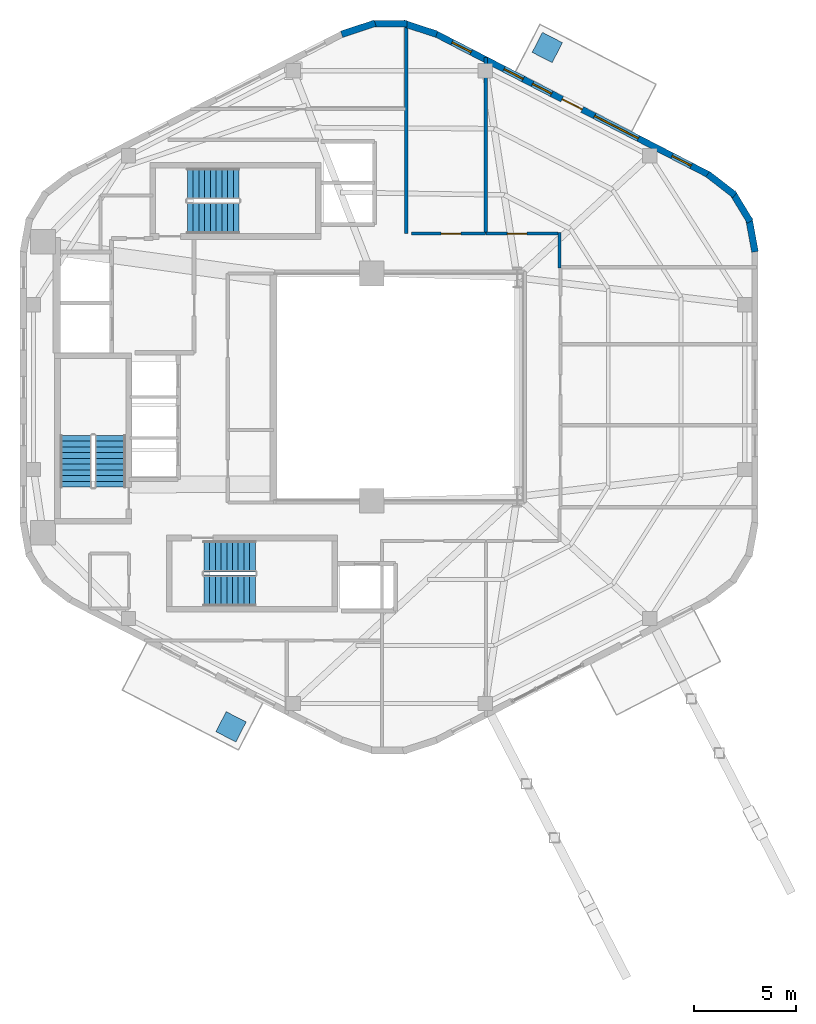
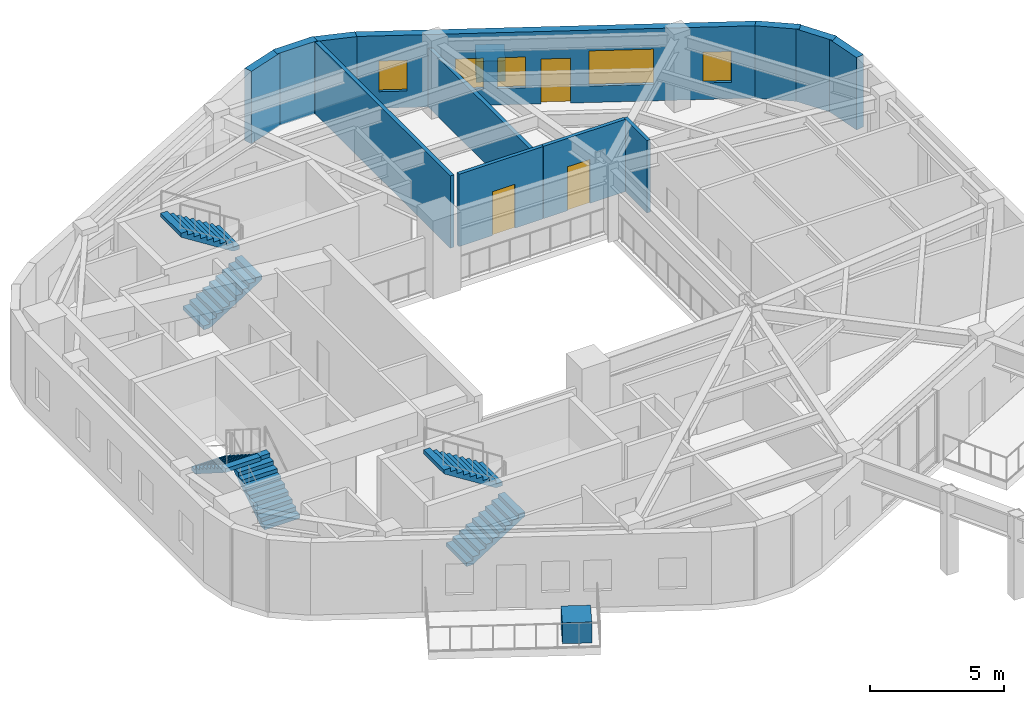
# One storey, part 8 of 10: 12 walls, 6 stair flights, 5 windows, 3 doors, 2 discrete accessories, 8 openings, 3 elements without a shape of their own.
"""IFC4 building model written with IfcOpenShell, lengths in metres."""

from ifc_helpers import new_model, si_unit, direction, frame, frame_2d, origin, origin_2d, place, context, subcontext, project, spatial, polyline, rectangle, outline, extrude, material, layer, layer_set, type_object, element, fill, aggregate, save


model = new_model("IFC4")

# Units and contexts
model_context = context("Model", 3, precision=1e-05, world=origin(), true_north=direction((0.0, 1.0)))
body_context = subcontext(model_context, "Body", "Model", "MODEL_VIEW")
ifc_project = project(units=[si_unit("LENGTHUNIT", "METRE"), si_unit("AREAUNIT", "SQUARE_METRE"), si_unit("VOLUMEUNIT", "CUBIC_METRE"), si_unit("PLANEANGLEUNIT", "RADIAN"), si_unit("MASSUNIT", "GRAM", prefix="KILO"), si_unit("THERMODYNAMICTEMPERATUREUNIT", "KELVIN"), si_unit("POWERUNIT", "WATT")], contexts=[model_context])

# Site, building, storey
site_placement = place(None, origin())
site = spatial("IfcSite", under=ifc_project, at=site_placement, CompositionType="ELEMENT")
building_placement = place(site_placement, origin())
building = spatial("IfcBuilding", under=site, at=building_placement, Name="Skarre Station Tower", CompositionType="ELEMENT")
storey_placement = place(building_placement, frame((0.0, 0.0, 227.699951171875)))
storey = spatial("IfcBuildingStorey", under=building, at=storey_placement, Name="L62", CompositionType="ELEMENT", Elevation=227.699951171875)

# Wall
ifc_material_1 = material(Name="Acoustic Steel-Stud Gypsum Partition", Category="steel")
ifc_layer_1 = layer(ifc_material_1, 0.14990234375, Name="Acoustic Steel-Stud Gypsum Partition")
ifc_layer_set_1 = layer_set([ifc_layer_1], Name="Acoustic Steel-Stud Gypsum Partition")
wall_type_1 = type_object("IfcWallType", Name="Fire-Rated Corridor Acoustic Partition 150", PredefinedType="PARTITIONING", material=ifc_layer_set_1)
wall_1_placement = place(storey_placement, frame((41.52001953125, 29.820068359375, 0.0), z_axis=(0.0, 0.0, 1.0), x_axis=(0.0, 1.0, 0.0)))
element("IfcWall", 1, at=wall_1_placement, inside=storey, type_object=wall_type_1, Name="L62 Interior Partition WL-PT-L62-CORR-NER", PredefinedType="PARTITIONING", context=body_context, shape_type="SweptSolid", body=[
    extrude(rectangle(XDim=1.719970703125, YDim=0.14990234375, at=frame_2d((0.85986328125, 0.0))), origin(), (0.0, 0.0, 1.0), 3.2900390625),
])

# Wall, opening, door
wall_2_placement = place(storey_placement, frame((37.912109375, 31.5, 0.0), z_axis=(0.0, 0.0, 1.0), x_axis=(-1.0, 0.0, 0.0)))
wall_2 = element("IfcWall", 2, at=wall_2_placement, inside=storey, type_object=wall_type_1, Name="L62 Interior Partition WL-PT-L62-NW1-CW", PredefinedType="PARTITIONING", context=body_context, shape_type="SweptSolid", body=[
    extrude(rectangle(XDim=3.6220703125, YDim=0.14990234375, at=frame_2d((1.81103515625, 0.0))), origin(), (0.0, 0.0, 1.0), 3.2900390625),
])
opening_1_placement = place(wall_2_placement, frame((1.2119140625, 0.0, 0.0)))
opening_1 = element("IfcOpeningElement", 3, at=opening_1_placement, cuts=wall_2, Name="Opening DR-FD60", PredefinedType="OPENING", context=body_context, shape_type="SweptSolid", body=[
    extrude(rectangle(XDim=0.9599609375, YDim=2.0, at=frame_2d((0.47998046875, 1.0))), frame((0.0, 0.0849609375, 0.0), z_axis=(0.0, -1.0, 0.0), x_axis=(1.0, 0.0, 0.0)), (0.0, 0.0, 1.0), 0.169921875),
])
ifc_material_2 = material(Name="Nordic White-Oak Veneer Solid-Core Fire Leaf", Category="wood")
door_type_1 = type_object("IfcDoorType", Name="Corridor Suite Entry Fire Door FD60 960x2150", OperationType="SINGLE_SWING_LEFT", PredefinedType="DOOR", material=ifc_material_2)
door_1_placement = place(opening_1_placement, origin())
door_1 = element("IfcDoor", 4, at=door_1_placement, inside=storey, type_object=door_type_1, Name="L62 NW1 Entry Door", OperationType="SINGLE_SWING_LEFT", OverallHeight=2.0, OverallWidth=0.9599609375, PredefinedType="DOOR", context=body_context, shape_type="SweptSolid", body=[
    extrude(rectangle(XDim=0.9599609375, YDim=2.0, at=frame_2d((0.47998046875, 1.0))), frame((0.0, 0.02490234375, 0.0), z_axis=(0.0, -1.0, 0.0), x_axis=(1.0, 0.0, 0.0)), (0.0, 0.0, 1.0), 0.050048828125),
])
fill(opening_1, door_1)

wall_3_placement = place(storey_placement, frame((41.449951171875, 31.5, 0.0), z_axis=(0.0, 0.0, 1.0), x_axis=(-1.0, 0.0, 0.0)))
wall_3 = element("IfcWall", 5, at=wall_3_placement, inside=storey, type_object=wall_type_1, Name="L62 Interior Partition WL-PT-L62-NW2-CW", PredefinedType="PARTITIONING", context=body_context, shape_type="SweptSolid", body=[
    extrude(rectangle(XDim=3.52783203125, YDim=0.14990234375, at=frame_2d((1.763916015625, 0.0))), origin(), (0.0, 0.0, 1.0), 3.2900390625),
])
opening_2_placement = place(wall_3_placement, frame((1.52392578125, 0.0, 0.0)))
opening_2 = element("IfcOpeningElement", 6, at=opening_2_placement, cuts=wall_3, Name="Opening DR-FD60", PredefinedType="OPENING", context=body_context, shape_type="SweptSolid", body=[
    extrude(rectangle(XDim=0.9599609375, YDim=2.0, at=frame_2d((0.47998046875, 1.0))), frame((0.0, 0.0849609375, 0.0), z_axis=(0.0, -1.0, 0.0), x_axis=(1.0, 0.0, 0.0)), (0.0, 0.0, 1.0), 0.169921875),
])
door_2_placement = place(opening_2_placement, origin())
door_2 = element("IfcDoor", 7, at=door_2_placement, inside=storey, type_object=door_type_1, Name="L62 NW2 Entry Door", OperationType="SINGLE_SWING_LEFT", OverallHeight=2.0, OverallWidth=0.9599609375, PredefinedType="DOOR", context=body_context, shape_type="SweptSolid", body=[
    extrude(rectangle(XDim=0.9599609375, YDim=2.0, at=frame_2d((0.47998046875, 1.0))), frame((0.0, 0.02490234375, 0.0), z_axis=(0.0, -1.0, 0.0), x_axis=(1.0, 0.0, 0.0)), (0.0, 0.0, 1.0), 0.050048828125),
])
fill(opening_2, door_2)

# Walls
ifc_material_3 = material(Name="Precast concrete C45/55", Category="concrete")
ifc_layer_2 = layer(ifc_material_3, 0.330078125, Name="Precast concrete C45/55")
ifc_layer_set_2 = layer_set([ifc_layer_2], Name="Precast concrete C45/55")
wall_type_2 = type_object("IfcWallType", Name="Nordic Rounded Corner Precast Wall 330", PredefinedType="STANDARD", material=ifc_layer_set_2)
wall_4_placement = place(storey_placement, frame((48.7529296875, 34.40087890625, 0.0), z_axis=(0.0, 0.0, 1.0), x_axis=(0.790691856293, -0.61221433207, 0.0)))
element("IfcWall", 8, at=wall_4_placement, inside=storey, type_object=wall_type_2, Name="L62 Rounded Corner Precast Wall F0-1", PredefinedType="STANDARD", context=body_context, shape_type="SweptSolid", body=[
    extrude(rectangle(XDim=1.67578125, YDim=0.330078125, at=frame_2d((0.837890625, 0.0))), origin(), (0.0, 0.0, 1.0), 3.2900390625),
])
wall_5_placement = place(storey_placement, frame((49.952880859375, 33.514892578125, 0.0), z_axis=(0.0, 0.0, 1.0), x_axis=(0.520325409202, -0.853968072318, 0.0)))
element("IfcWall", 9, at=wall_5_placement, inside=storey, type_object=wall_type_2, Name="L62 Rounded Corner Precast Wall F0-2", PredefinedType="STANDARD", context=body_context, shape_type="SweptSolid", body=[
    extrude(rectangle(XDim=1.677978515625, YDim=0.330078125, at=frame_2d((0.8388671875, 0.0))), origin(), (0.0, 0.0, 1.0), 3.2900390625),
])
wall_6_placement = place(storey_placement, frame((50.759033203125, 32.257080078125, 0.0), z_axis=(0.0, 0.0, 1.0), x_axis=(0.180691763044, -0.983539773862, 0.0)))
element("IfcWall", 10, at=wall_6_placement, inside=storey, type_object=wall_type_2, Name="L62 Rounded Corner Precast Wall F0-3", PredefinedType="STANDARD", context=body_context, shape_type="SweptSolid", body=[
    extrude(rectangle(XDim=1.6767578125, YDim=0.330078125, at=frame_2d((0.83837890625, 0.0))), origin(), (0.0, 0.0, 1.0), 3.2900390625),
])
wall_7_placement = place(storey_placement, frame((30.882080078125, 41.23095703125, 0.0), z_axis=(0.0, 0.0, 1.0), x_axis=(0.949713440491, 0.313120393699, 0.0)))
element("IfcWall", 11, at=wall_7_placement, inside=storey, type_object=wall_type_2, Name="L62 Rounded Corner Precast Wall F1-1", PredefinedType="STANDARD", context=body_context, shape_type="SweptSolid", body=[
    extrude(rectangle(XDim=1.7216796875, YDim=0.330078125, at=frame_2d((0.86083984375, 0.0))), origin(), (0.0, 0.0, 1.0), 3.2900390625),
])
wall_8_placement = place(storey_placement, frame((32.339111328125, 41.740966796875, 0.0), z_axis=(0.0, 0.0, 1.0), x_axis=(1.0, 0.0, 0.0)))
element("IfcWall", 12, at=wall_8_placement, inside=storey, type_object=wall_type_2, Name="L62 Rounded Corner Precast Wall F1-2", PredefinedType="STANDARD", context=body_context, shape_type="SweptSolid", body=[
    extrude(rectangle(XDim=1.721923828125, YDim=0.330078125, at=frame_2d((0.86083984375, 0.0))), origin(), (0.0, 0.0, 1.0), 3.2900390625),
])
wall_9_placement = place(storey_placement, frame((33.883056640625, 41.77001953125, 0.0), z_axis=(0.0, 0.0, 1.0), x_axis=(0.949713440491, -0.313120393699, 0.0)))
element("IfcWall", 13, at=wall_9_placement, inside=storey, type_object=wall_type_2, Name="L62 Rounded Corner Precast Wall F1-3", PredefinedType="STANDARD", context=body_context, shape_type="SweptSolid", body=[
    extrude(rectangle(XDim=1.7216796875, YDim=0.330078125, at=frame_2d((0.86083984375, 0.0))), origin(), (0.0, 0.0, 1.0), 3.2900390625),
])

# Wall, openings, windows, door
ifc_layer_3 = layer(ifc_material_3, 0.31005859375, Name="Precast concrete C45/55")
ifc_layer_set_3 = layer_set([ifc_layer_3], Name="Precast concrete C45/55")
wall_type_3 = type_object("IfcWallType", Name="Nordic Upper-Zone Precast Facet Wall 310", PredefinedType="STANDARD", material=ifc_layer_set_3)
wall_10_placement = place(storey_placement, frame((35.43701171875, 41.27001953125, 0.0), z_axis=(0.0, 0.0, 1.0), x_axis=(0.888581481622, -0.458718814218, 0.0)))
wall_10 = element("IfcWall", 14, at=wall_10_placement, inside=storey, type_object=wall_type_3, Name="L62 Facet 0 Nordic Precast Masonry Wall", PredefinedType="STANDARD", context=body_context, shape_type="SweptSolid", body=[
    extrude(rectangle(XDim=15.076904296875, YDim=0.31005859375, at=frame_2d((7.53857421875, 0.0))), origin(), (0.0, 0.0, 1.0), 3.2900390625),
])
opening_3_placement = place(wall_10_placement, frame((6.988037109375, 0.0, 0.0)))
opening_3 = element("IfcOpeningElement", 15, at=opening_3_placement, cuts=wall_10, Name="Opening DR-BAL110", PredefinedType="OPENING", context=body_context, shape_type="SweptSolid", body=[
    extrude(rectangle(XDim=1.10009765625, YDim=2.0400390625, at=frame_2d((0.550048828125, 1.02001953125))), frame((0.0, 0.1650390625, 0.0), z_axis=(0.0, -1.0, 0.0), x_axis=(1.0, 0.0, 0.0)), (0.0, 0.0, 1.0), 0.330078125),
])
opening_4_placement = place(wall_10_placement, frame((0.94189453125, 0.0, 0.75)))
opening_4 = element("IfcOpeningElement", 16, at=opening_4_placement, cuts=wall_10, Name="Opening WN-SLT", PredefinedType="OPENING", context=body_context, shape_type="SweptSolid", body=[
    extrude(rectangle(XDim=1.050048828125, YDim=1.39990234375, at=frame_2d((0.52490234375, 0.699951171875))), frame((0.0, 0.1650390625, 0.0), z_axis=(0.0, -1.0, 0.0), x_axis=(1.0, 0.0, 0.0)), (0.0, 0.0, 1.0), 0.330078125),
])
opening_5_placement = place(wall_10_placement, frame((3.79296875, 0.0, 0.75)))
opening_5 = element("IfcOpeningElement", 17, at=opening_5_placement, cuts=wall_10, Name="Opening WN-SLT", PredefinedType="OPENING", context=body_context, shape_type="SweptSolid", body=[
    extrude(rectangle(XDim=1.050048828125, YDim=1.39990234375, at=frame_2d((0.52490234375, 0.699951171875))), frame((0.0, 0.1650390625, 0.0), z_axis=(0.0, -1.0, 0.0), x_axis=(1.0, 0.0, 0.0)), (0.0, 0.0, 1.0), 0.330078125),
])
opening_6_placement = place(wall_10_placement, frame((5.360107421875, 0.0, 0.75)))
opening_6 = element("IfcOpeningElement", 18, at=opening_6_placement, cuts=wall_10, Name="Opening WN-SLT", PredefinedType="OPENING", context=body_context, shape_type="SweptSolid", body=[
    extrude(rectangle(XDim=1.050048828125, YDim=1.39990234375, at=frame_2d((0.52490234375, 0.699951171875))), frame((0.0, 0.1650390625, 0.0), z_axis=(0.0, -1.0, 0.0), x_axis=(1.0, 0.0, 0.0)), (0.0, 0.0, 1.0), 0.330078125),
])
opening_7_placement = place(wall_10_placement, frame((8.77392578125, 0.0, 0.75)))
opening_7 = element("IfcOpeningElement", 19, at=opening_7_placement, cuts=wall_10, Name="Opening WN-Z4A", PredefinedType="OPENING", context=body_context, shape_type="SweptSolid", body=[
    extrude(rectangle(XDim=2.39990234375, YDim=1.60009765625, at=frame_2d((1.199951171875, 0.800048828125))), frame((0.0, 0.1650390625, 0.0), z_axis=(0.0, -1.0, 0.0), x_axis=(1.0, 0.0, 0.0)), (0.0, 0.0, 1.0), 0.330078125),
])
opening_8_placement = place(wall_10_placement, frame((13.029052734375, 0.0, 0.75)))
opening_8 = element("IfcOpeningElement", 20, at=opening_8_placement, cuts=wall_10, Name="Opening WN-SLT", PredefinedType="OPENING", context=body_context, shape_type="SweptSolid", body=[
    extrude(rectangle(XDim=1.050048828125, YDim=1.39990234375, at=frame_2d((0.52490234375, 0.699951171875))), frame((0.0, 0.1650390625, 0.0), z_axis=(0.0, -1.0, 0.0), x_axis=(1.0, 0.0, 0.0)), (0.0, 0.0, 1.0), 0.330078125),
])
ifc_material_4 = material(Name="Low-Iron Triple Glazing with Bronze Anodized Frame", Category="glass")
window_type_1 = type_object("IfcWindowType", Name="Nordic Corner Slot Window 1050x1400", PartitioningType="SINGLE_PANEL", PredefinedType="WINDOW", material=ifc_material_4)
window_1_placement = place(opening_4_placement, origin())
window_1 = element("IfcWindow", 21, at=window_1_placement, inside=storey, type_object=window_type_1, Name="L62 Facade Window WL-FAC-L62-F0-1", OverallHeight=1.39990234375, OverallWidth=1.050048828125, PartitioningType="SINGLE_PANEL", PredefinedType="WINDOW", context=body_context, shape_type="SweptSolid", body=[
    extrude(rectangle(XDim=1.050048828125, YDim=1.39990234375, at=frame_2d((0.52490234375, 0.699951171875))), frame((0.0, 0.030029296875, 0.0), z_axis=(0.0, -1.0, 0.0), x_axis=(1.0, 0.0, 0.0)), (0.0, 0.0, 1.0), 0.06005859375),
])
fill(opening_4, window_1)
window_2_placement = place(opening_5_placement, origin())
window_2 = element("IfcWindow", 22, at=window_2_placement, inside=storey, type_object=window_type_1, Name="L62 Facade Window WL-FAC-L62-F0-2", OverallHeight=1.39990234375, OverallWidth=1.050048828125, PartitioningType="SINGLE_PANEL", PredefinedType="WINDOW", context=body_context, shape_type="SweptSolid", body=[
    extrude(rectangle(XDim=1.050048828125, YDim=1.39990234375, at=frame_2d((0.52490234375, 0.699951171875))), frame((0.0, 0.030029296875, 0.0), z_axis=(0.0, -1.0, 0.0), x_axis=(1.0, 0.0, 0.0)), (0.0, 0.0, 1.0), 0.06005859375),
])
fill(opening_5, window_2)
window_3_placement = place(opening_6_placement, origin())
window_3 = element("IfcWindow", 23, at=window_3_placement, inside=storey, type_object=window_type_1, Name="L62 Facade Window WL-FAC-L62-F0-3", OverallHeight=1.39990234375, OverallWidth=1.050048828125, PartitioningType="SINGLE_PANEL", PredefinedType="WINDOW", context=body_context, shape_type="SweptSolid", body=[
    extrude(rectangle(XDim=1.050048828125, YDim=1.39990234375, at=frame_2d((0.52490234375, 0.699951171875))), frame((0.0, 0.030029296875, 0.0), z_axis=(0.0, -1.0, 0.0), x_axis=(1.0, 0.0, 0.0)), (0.0, 0.0, 1.0), 0.06005859375),
])
fill(opening_6, window_3)
window_4_placement = place(opening_8_placement, origin())
window_4 = element("IfcWindow", 24, at=window_4_placement, inside=storey, type_object=window_type_1, Name="L62 Facade Window WL-FAC-L62-F0-5", OverallHeight=1.39990234375, OverallWidth=1.050048828125, PartitioningType="SINGLE_PANEL", PredefinedType="WINDOW", context=body_context, shape_type="SweptSolid", body=[
    extrude(rectangle(XDim=1.050048828125, YDim=1.39990234375, at=frame_2d((0.52490234375, 0.699951171875))), frame((0.0, 0.030029296875, 0.0), z_axis=(0.0, -1.0, 0.0), x_axis=(1.0, 0.0, 0.0)), (0.0, 0.0, 1.0), 0.06005859375),
])
fill(opening_8, window_4)
window_type_2 = type_object("IfcWindowType", Name="Nordic Crown Panorama Window 2400x1600", PartitioningType="SINGLE_PANEL", PredefinedType="WINDOW", material=ifc_material_4)
window_5_placement = place(opening_7_placement, origin())
window_5 = element("IfcWindow", 25, at=window_5_placement, inside=storey, type_object=window_type_2, Name="L62 Facade Window WL-FAC-L62-F0-4", OverallHeight=1.60009765625, OverallWidth=2.39990234375, PartitioningType="SINGLE_PANEL", PredefinedType="WINDOW", context=body_context, shape_type="SweptSolid", body=[
    extrude(rectangle(XDim=2.39990234375, YDim=1.60009765625, at=frame_2d((1.199951171875, 0.800048828125))), frame((0.0, 0.030029296875, 0.0), z_axis=(0.0, -1.0, 0.0), x_axis=(1.0, 0.0, 0.0)), (0.0, 0.0, 1.0), 0.06005859375),
])
fill(opening_7, window_5)
ifc_material_5 = material(Name="Thermally Broken Aluminium & Triple Glazing", Category="aluminium")
door_type_2 = type_object("IfcDoorType", Name="Terrace & Tree-Balcony Glazed Door 1100x2200", OperationType="SINGLE_SWING_LEFT", PredefinedType="DOOR", material=ifc_material_5)
door_3_placement = place(opening_3_placement, origin())
door_3 = element("IfcDoor", 26, at=door_3_placement, inside=storey, type_object=door_type_2, Name="L62 TB-L62-F0 Tree-Balcony Glazed Door", OperationType="SINGLE_SWING_LEFT", OverallHeight=2.0400390625, OverallWidth=1.10009765625, PredefinedType="DOOR", context=body_context, shape_type="SweptSolid", body=[
    extrude(rectangle(XDim=1.10009765625, YDim=2.0400390625, at=frame_2d((0.550048828125, 1.02001953125))), frame((0.0, 0.02490234375, 0.0), z_axis=(0.0, -1.0, 0.0), x_axis=(1.0, 0.0, 0.0)), (0.0, 0.0, 1.0), 0.050048828125),
])
fill(opening_3, door_3)

# Walls
ifc_layer_4 = layer(ifc_material_1, 0.1650390625, Name="Acoustic Steel-Stud Gypsum Partition")
ifc_layer_set_4 = layer_set([ifc_layer_4], Name="Acoustic Steel-Stud Gypsum Partition")
wall_type_4 = type_object("IfcWallType", Name="Suite Demising Acoustic Partition 165", PredefinedType="PARTITIONING", material=ifc_layer_set_4)
wall_11_placement = place(storey_placement, frame((34.0400390625, 31.5, 0.0), z_axis=(0.0, 0.0, 1.0), x_axis=(0.0, 1.0, 0.0)))
element("IfcWall", 27, at=wall_11_placement, inside=storey, type_object=wall_type_4, Name="L62 Interior Partition WL-PT-L62-NW-WBND", PredefinedType="PARTITIONING", context=body_context, shape_type="SweptSolid", body=[
    extrude(rectangle(XDim=10.318115234375, YDim=0.1650390625, at=frame_2d((5.1591796875, 0.0))), origin(), (0.0, 0.0, 1.0), 3.2900390625),
])
wall_12_placement = place(storey_placement, frame((37.9169921875, 31.510009765625, 0.0), z_axis=(0.0, 0.0, 1.0), x_axis=(0.0, 1.0, 0.0)))
element("IfcWall", 28, at=wall_12_placement, inside=storey, type_object=wall_type_4, Name="L62 Interior Partition WL-PT-L62-NW-P1", PredefinedType="PARTITIONING", context=body_context, shape_type="SweptSolid", body=[
    extrude(rectangle(XDim=8.575927734375, YDim=0.1650390625, at=frame_2d((4.2880859375, 0.0))), origin(), (0.0, 0.0, 1.0), 2.678955078125),
])

# Stair, stair flights
ifc_material_6 = material(Name="Concrete C40/50", Category="concrete")
stair_type_1 = type_object("IfcStairType", Name="Reinforced Concrete Exit Stair ST-1", PredefinedType="HALF_TURN_STAIR", material=ifc_material_6)
stair_1_placement = place(storey_placement, origin())
stair_1 = element("IfcStair", 29, at=stair_1_placement, inside=storey, type_object=stair_type_1, Name="L62 Core Exit Stair ST-1", PredefinedType="HALF_TURN_STAIR")
stair_flight_type_1 = type_object("IfcStairFlightType", Name="Reinforced Concrete Stair Flight ST-1", PredefinedType="STRAIGHT", material=ifc_material_6)
stair_flight_1_placement = place(storey_placement, frame((19.590087890625, 19.1201171875, 0.0), z_axis=(0.0, 0.0, 1.0), x_axis=(0.0, 1.0, 0.0)))
stair_flight_1 = element("IfcStairFlight", 30, at=stair_flight_1_placement, type_object=stair_flight_type_1, Name="ST-1 flight 1", NumberOfRisers=10, NumberOfTreads=9, PredefinedType="STRAIGHT", RiserHeight=0.1775, TreadLength=0.28, context=body_context, shape_type="SweptSolid", body=[
    extrude(outline(polyline([(0.0, 0.0), (0.0, 0.177490234375), (0.280029296875, 0.177490234375), (0.280029296875, 0.35498046875), (0.56005859375, 0.35498046875), (0.56005859375, 0.532470703125), (0.840087890625, 0.532470703125), (0.840087890625, 0.7099609375), (1.1201171875, 0.7099609375), (1.1201171875, 0.887451171875), (1.39990234375, 0.887451171875), (1.39990234375, 1.06494140625), (1.679931640625, 1.06494140625), (1.679931640625, 1.242431640625), (1.9599609375, 1.242431640625), (1.9599609375, 1.419921875), (2.239990234375, 1.419921875), (2.239990234375, 1.597412109375), (2.52001953125, 1.597412109375), (2.52001953125, 1.77490234375), (2.52001953125, 1.419921875), (0.280029296875, 0.0), (0.0, 0.0)])), frame((0.0, 0.760009765625, 0.0), z_axis=(0.0, -1.0, 0.0), x_axis=(1.0, 0.0, 0.0)), (0.0, 0.0, 1.0), 1.52001953125),
])
stair_flight_2_placement = place(storey_placement, frame((17.909912109375, 21.639892578125, 1.775146484375), z_axis=(0.0, 0.0, 1.0), x_axis=(0.0, -1.0, 0.0)))
stair_flight_2 = element("IfcStairFlight", 31, at=stair_flight_2_placement, type_object=stair_flight_type_1, Name="ST-1 flight 2", NumberOfRisers=10, NumberOfTreads=9, PredefinedType="STRAIGHT", RiserHeight=0.1775, TreadLength=0.28, context=body_context, shape_type="SweptSolid", body=[
    extrude(outline(polyline([(0.0, 0.0), (0.0, 0.177490234375), (0.280029296875, 0.177490234375), (0.280029296875, 0.35498046875), (0.56005859375, 0.35498046875), (0.56005859375, 0.532470703125), (0.840087890625, 0.532470703125), (0.840087890625, 0.7099609375), (1.1201171875, 0.7099609375), (1.1201171875, 0.887451171875), (1.39990234375, 0.887451171875), (1.39990234375, 1.06494140625), (1.679931640625, 1.06494140625), (1.679931640625, 1.242431640625), (1.9599609375, 1.242431640625), (1.9599609375, 1.419921875), (2.239990234375, 1.419921875), (2.239990234375, 1.597412109375), (2.52001953125, 1.597412109375), (2.52001953125, 1.77490234375), (2.52001953125, 1.419921875), (0.280029296875, 0.0), (0.0, 0.0)])), frame((0.0, 0.760009765625, 0.0), z_axis=(0.0, -1.0, 0.0), x_axis=(1.0, 0.0, 0.0)), (0.0, 0.0, 1.0), 1.52001953125),
])
aggregate(stair_1, [stair_flight_1, stair_flight_2])

stair_type_2 = type_object("IfcStairType", Name="Reinforced Concrete Exit Stair ST-2", PredefinedType="HALF_TURN_STAIR", material=ifc_material_6)
stair_2_placement = place(storey_placement, origin())
stair_2 = element("IfcStair", 32, at=stair_2_placement, inside=storey, type_object=stair_type_2, Name="L62 Core Exit Stair ST-2", PredefinedType="HALF_TURN_STAIR")
stair_flight_type_2 = type_object("IfcStairFlightType", Name="Reinforced Concrete Stair Flight ST-2", PredefinedType="STRAIGHT", material=ifc_material_6)
stair_flight_3_placement = place(storey_placement, frame((24.14990234375, 14.06005859375, 0.0), z_axis=(0.0, 0.0, 1.0), x_axis=(1.0, 0.0, 0.0)))
stair_flight_3 = element("IfcStairFlight", 33, at=stair_flight_3_placement, type_object=stair_flight_type_2, Name="ST-2 flight 1", NumberOfRisers=10, NumberOfTreads=9, PredefinedType="STRAIGHT", RiserHeight=0.1775, TreadLength=0.28, context=body_context, shape_type="SweptSolid", body=[
    extrude(outline(polyline([(0.0, 0.0), (0.0, 0.177490234375), (0.280029296875, 0.177490234375), (0.280029296875, 0.35498046875), (0.56005859375, 0.35498046875), (0.56005859375, 0.532470703125), (0.840087890625, 0.532470703125), (0.840087890625, 0.7099609375), (1.1201171875, 0.7099609375), (1.1201171875, 0.887451171875), (1.39990234375, 0.887451171875), (1.39990234375, 1.06494140625), (1.679931640625, 1.06494140625), (1.679931640625, 1.242431640625), (1.9599609375, 1.242431640625), (1.9599609375, 1.419921875), (2.239990234375, 1.419921875), (2.239990234375, 1.597412109375), (2.52001953125, 1.597412109375), (2.52001953125, 1.77490234375), (2.52001953125, 1.419921875), (0.280029296875, 0.0), (0.0, 0.0)])), frame((0.0, 0.760009765625, 0.0), z_axis=(0.0, -1.0, 0.0), x_axis=(1.0, 0.0, 0.0)), (0.0, 0.0, 1.0), 1.52001953125),
])
stair_flight_4_placement = place(storey_placement, frame((26.669921875, 15.739990234375, 1.775146484375), z_axis=(0.0, 0.0, 1.0), x_axis=(-1.0, 0.0, 0.0)))
stair_flight_4 = element("IfcStairFlight", 34, at=stair_flight_4_placement, type_object=stair_flight_type_2, Name="ST-2 flight 2", NumberOfRisers=10, NumberOfTreads=9, PredefinedType="STRAIGHT", RiserHeight=0.1775, TreadLength=0.28, context=body_context, shape_type="SweptSolid", body=[
    extrude(outline(polyline([(0.0, 0.0), (0.0, 0.177490234375), (0.280029296875, 0.177490234375), (0.280029296875, 0.35498046875), (0.56005859375, 0.35498046875), (0.56005859375, 0.532470703125), (0.840087890625, 0.532470703125), (0.840087890625, 0.7099609375), (1.1201171875, 0.7099609375), (1.1201171875, 0.887451171875), (1.39990234375, 0.887451171875), (1.39990234375, 1.06494140625), (1.679931640625, 1.06494140625), (1.679931640625, 1.242431640625), (1.9599609375, 1.242431640625), (1.9599609375, 1.419921875), (2.239990234375, 1.419921875), (2.239990234375, 1.597412109375), (2.52001953125, 1.597412109375), (2.52001953125, 1.77490234375), (2.52001953125, 1.419921875), (0.280029296875, 0.0), (0.0, 0.0)])), frame((0.0, 0.760009765625, 0.0), z_axis=(0.0, -1.0, 0.0), x_axis=(1.0, 0.0, 0.0)), (0.0, 0.0, 1.0), 1.52001953125),
])
aggregate(stair_2, [stair_flight_3, stair_flight_4])

stair_type_3 = type_object("IfcStairType", Name="Reinforced Concrete Exit Stair ST-3", PredefinedType="HALF_TURN_STAIR", material=ifc_material_6)
stair_3_placement = place(storey_placement, origin())
stair_3 = element("IfcStair", 35, at=stair_3_placement, inside=storey, type_object=stair_type_3, Name="L62 Core Exit Stair ST-3", PredefinedType="HALF_TURN_STAIR")
stair_flight_type_3 = type_object("IfcStairFlightType", Name="Reinforced Concrete Stair Flight ST-3", PredefinedType="STRAIGHT", material=ifc_material_6)
stair_flight_5_placement = place(storey_placement, frame((23.35009765625, 32.260009765625, 0.0), z_axis=(0.0, 0.0, 1.0), x_axis=(1.0, 0.0, 0.0)))
stair_flight_5 = element("IfcStairFlight", 36, at=stair_flight_5_placement, type_object=stair_flight_type_3, Name="ST-3 flight 1", NumberOfRisers=10, NumberOfTreads=9, PredefinedType="STRAIGHT", RiserHeight=0.1775, TreadLength=0.28, context=body_context, shape_type="SweptSolid", body=[
    extrude(outline(polyline([(0.0, 0.0), (0.0, 0.177490234375), (0.280029296875, 0.177490234375), (0.280029296875, 0.35498046875), (0.56005859375, 0.35498046875), (0.56005859375, 0.532470703125), (0.840087890625, 0.532470703125), (0.840087890625, 0.7099609375), (1.1201171875, 0.7099609375), (1.1201171875, 0.887451171875), (1.39990234375, 0.887451171875), (1.39990234375, 1.06494140625), (1.679931640625, 1.06494140625), (1.679931640625, 1.242431640625), (1.9599609375, 1.242431640625), (1.9599609375, 1.419921875), (2.239990234375, 1.419921875), (2.239990234375, 1.597412109375), (2.52001953125, 1.597412109375), (2.52001953125, 1.77490234375), (2.52001953125, 1.419921875), (0.280029296875, 0.0), (0.0, 0.0)])), frame((0.0, 0.760009765625, 0.0), z_axis=(0.0, -1.0, 0.0), x_axis=(1.0, 0.0, 0.0)), (0.0, 0.0, 1.0), 1.52001953125),
])
stair_flight_6_placement = place(storey_placement, frame((25.8701171875, 33.93994140625, 1.775146484375), z_axis=(0.0, 0.0, 1.0), x_axis=(-1.0, 0.0, 0.0)))
stair_flight_6 = element("IfcStairFlight", 37, at=stair_flight_6_placement, type_object=stair_flight_type_3, Name="ST-3 flight 2", NumberOfRisers=10, NumberOfTreads=9, PredefinedType="STRAIGHT", RiserHeight=0.1775, TreadLength=0.28, context=body_context, shape_type="SweptSolid", body=[
    extrude(outline(polyline([(0.0, 0.0), (0.0, 0.177490234375), (0.280029296875, 0.177490234375), (0.280029296875, 0.35498046875), (0.56005859375, 0.35498046875), (0.56005859375, 0.532470703125), (0.840087890625, 0.532470703125), (0.840087890625, 0.7099609375), (1.1201171875, 0.7099609375), (1.1201171875, 0.887451171875), (1.39990234375, 0.887451171875), (1.39990234375, 1.06494140625), (1.679931640625, 1.06494140625), (1.679931640625, 1.242431640625), (1.9599609375, 1.242431640625), (1.9599609375, 1.419921875), (2.239990234375, 1.419921875), (2.239990234375, 1.597412109375), (2.52001953125, 1.597412109375), (2.52001953125, 1.77490234375), (2.52001953125, 1.419921875), (0.280029296875, 0.0), (0.0, 0.0)])), frame((0.0, 0.760009765625, 0.0), z_axis=(0.0, -1.0, 0.0), x_axis=(1.0, 0.0, 0.0)), (0.0, 0.0, 1.0), 1.52001953125),
])
aggregate(stair_3, [stair_flight_5, stair_flight_6])

# Discrete accessories
discrete_accessory_type = type_object("IfcDiscreteAccessoryType", Name="Insulated Precast Tree Planter Trough 1100x1100x950", PredefinedType="USERDEFINED", material=ifc_material_3)
for number, where, z_axis, x_axis, name in (
    (38, (40.9208984375, 40.5830078125, 0.0), (0.0, 0.0, 1.0), (0.458711590553, 0.88858521071, 0.0), "L62 TB-L62-F0 Insulated Precast Tree Planter Trough"),
    (39, (25.47900390625, 7.4169921875, 0.0), (0.0, 0.0, 1.0), (-0.458711590553, -0.88858521071, 0.0), "L62 TB-L62-F3 Insulated Precast Tree Planter Trough"),
):
    element("IfcDiscreteAccessory", number, at=place(storey_placement, frame(where, z_axis=z_axis, x_axis=x_axis)), inside=storey, type_object=discrete_accessory_type, Name=name, ObjectType="PLANTER", PredefinedType="USERDEFINED", context=body_context, shape_type="SweptSolid", body=[
        extrude(rectangle(XDim=1.10009765625, YDim=1.10009765625, at=origin_2d()), origin(), (0.0, 0.0, 1.0), 0.949951171875),
    ])

save(model, "model.ifc")
